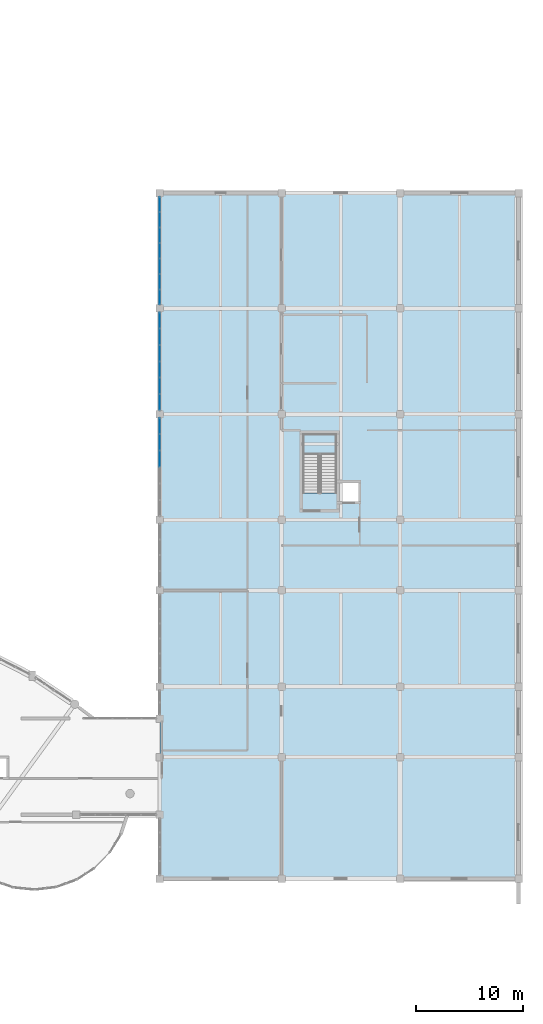
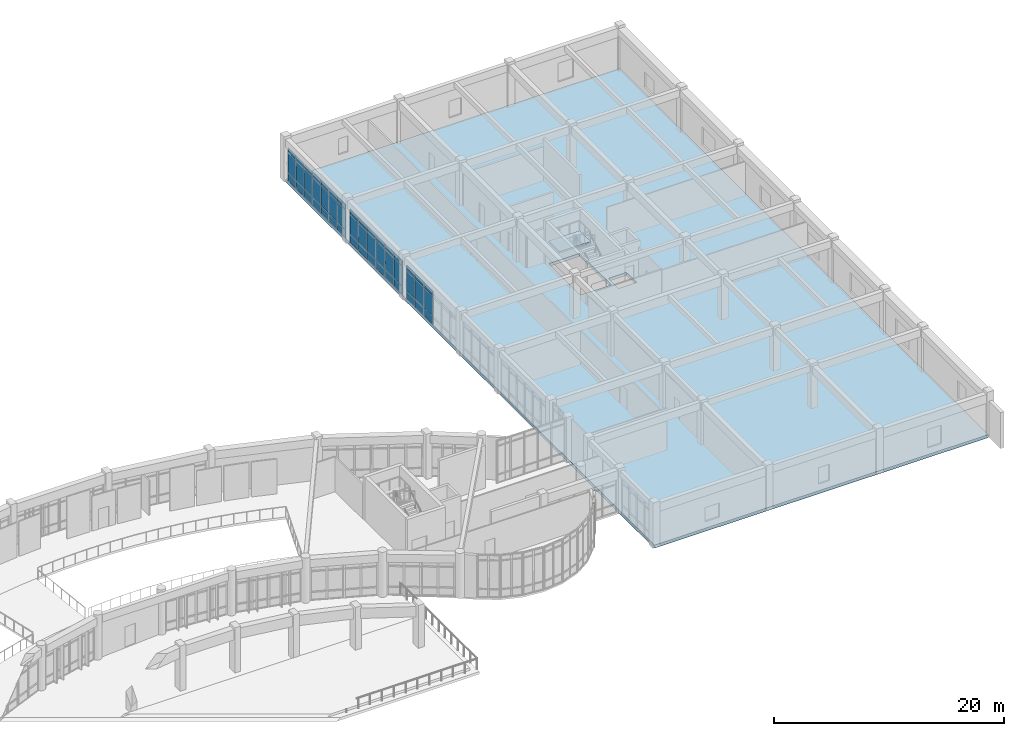
# One storey, part 46 of 65: 48 plates, 2 slabs, 4 elements without a shape of their own.
"""IFC4 building model written with IfcOpenShell, lengths in metres."""

from ifc_helpers import new_model, si_unit, direction, frame, origin, origin_2d, place, context, subcontext, project, spatial, polyline, rectangle, outline, extrude, material, layer, layer_set, type_object, element, aggregate, save


model = new_model("IFC4")

# Units and contexts
model_context = context("Model", 3, precision=1e-05, world=origin(), true_north=direction((0.0, 1.0)))
body_context = subcontext(model_context, "Body", "Model", "MODEL_VIEW")
ifc_project = project(units=[si_unit("LENGTHUNIT", "METRE"), si_unit("AREAUNIT", "SQUARE_METRE"), si_unit("VOLUMEUNIT", "CUBIC_METRE"), si_unit("PLANEANGLEUNIT", "RADIAN"), si_unit("MASSUNIT", "GRAM", prefix="KILO")], contexts=[model_context])

# Site, building, storey
site_placement = place(None, origin())
site = spatial("IfcSite", under=ifc_project, at=site_placement, CompositionType="ELEMENT")
building_placement = place(site_placement, origin())
building = spatial("IfcBuilding", under=site, at=building_placement, Name="Miralva Faculty of Natural Sciences", CompositionType="ELEMENT")
storey_placement = place(building_placement, frame((0.0, 0.0, 10.199951171875)))
storey = spatial("IfcBuildingStorey", under=building, at=storey_placement, Name="L02", CompositionType="ELEMENT", Elevation=10.199951171875)

# Curtain wall, plates
ifc_material_1 = material(Name="Laminated solar-control glass", Category="glass")
ifc_layer_1 = layer(ifc_material_1, 0.179931640625, Name="CW-COM-L01")
ifc_layer_set_1 = layer_set([ifc_layer_1], Name="Laminated solar-control glass")
curtain_wall_type = type_object("IfcCurtainWallType", Name="CW-COM-L01", PredefinedType="USERDEFINED", material=ifc_layer_set_1)
curtain_wall_1_placement = place(storey_placement, origin())
curtain_wall_1 = element("IfcCurtainWall", 1, at=curtain_wall_1_placement, inside=storey, type_object=curtain_wall_type, Name="Curtain wall CW-10 L02-272", ObjectType="UNITISED CURTAIN WALL", PredefinedType="USERDEFINED")
ifc_layer_2 = layer(ifc_material_1, 0.028076171875, Name="PNL-P01")
ifc_layer_set_2 = layer_set([ifc_layer_2], Name="Laminated solar-control glass")
plate_type = type_object("IfcPlateType", Name="PNL-P01", PredefinedType="CURTAIN_PANEL", material=ifc_layer_set_2)
plate_1_placement = place(storey_placement, frame((133.800048828125, 51.319091796875, 0.06005859375), z_axis=(0.0, 0.0, 1.0), x_axis=(0.0, 1.0, 0.0)))
plate_1 = element("IfcPlate", 2, at=plate_1_placement, type_object=plate_type, Name="CW-10 panel 4.1", PredefinedType="CURTAIN_PANEL", context=body_context, shape_type="SweptSolid", body=[
    extrude(rectangle(XDim=1.478271484375, YDim=0.028076171875, at=origin_2d()), origin(), (0.0, 0.0, 1.0), 0.81005859375),
])
plate_2_placement = place(storey_placement, frame((133.800048828125, 51.319091796875, 0.93017578125), z_axis=(0.0, 0.0, 1.0), x_axis=(0.0, 1.0, 0.0)))
plate_2 = element("IfcPlate", 3, at=plate_2_placement, type_object=plate_type, Name="CW-10 panel 4.2", PredefinedType="CURTAIN_PANEL", context=body_context, shape_type="SweptSolid", body=[
    extrude(rectangle(XDim=1.478271484375, YDim=0.028076171875, at=origin_2d()), origin(), (0.0, 0.0, 1.0), 2.10498046875),
])
plate_3_placement = place(storey_placement, frame((133.800048828125, 51.319091796875, 3.09521484375), z_axis=(0.0, 0.0, 1.0), x_axis=(0.0, 1.0, 0.0)))
plate_3 = element("IfcPlate", 4, at=plate_3_placement, type_object=plate_type, Name="CW-10 panel 4.3", PredefinedType="CURTAIN_PANEL", context=body_context, shape_type="SweptSolid", body=[
    extrude(rectangle(XDim=1.478271484375, YDim=0.028076171875, at=origin_2d()), origin(), (0.0, 0.0, 1.0), 0.510009765625),
])
plate_4_placement = place(storey_placement, frame((133.800048828125, 52.857421875, 0.06005859375), z_axis=(0.0, 0.0, 1.0), x_axis=(0.0, 1.0, 0.0)))
plate_4 = element("IfcPlate", 5, at=plate_4_placement, type_object=plate_type, Name="CW-10 panel 5.1", PredefinedType="CURTAIN_PANEL", context=body_context, shape_type="SweptSolid", body=[
    extrude(rectangle(XDim=1.478271484375, YDim=0.028076171875, at=origin_2d()), origin(), (0.0, 0.0, 1.0), 0.81005859375),
])
plate_5_placement = place(storey_placement, frame((133.800048828125, 52.857421875, 0.93017578125), z_axis=(0.0, 0.0, 1.0), x_axis=(0.0, 1.0, 0.0)))
plate_5 = element("IfcPlate", 6, at=plate_5_placement, type_object=plate_type, Name="CW-10 panel 5.2", PredefinedType="CURTAIN_PANEL", context=body_context, shape_type="SweptSolid", body=[
    extrude(rectangle(XDim=1.478271484375, YDim=0.028076171875, at=origin_2d()), origin(), (0.0, 0.0, 1.0), 2.10498046875),
])
plate_6_placement = place(storey_placement, frame((133.800048828125, 52.857421875, 3.09521484375), z_axis=(0.0, 0.0, 1.0), x_axis=(0.0, 1.0, 0.0)))
plate_6 = element("IfcPlate", 7, at=plate_6_placement, type_object=plate_type, Name="CW-10 panel 5.3", PredefinedType="CURTAIN_PANEL", context=body_context, shape_type="SweptSolid", body=[
    extrude(rectangle(XDim=1.478271484375, YDim=0.028076171875, at=origin_2d()), origin(), (0.0, 0.0, 1.0), 0.510009765625),
])
plate_7_placement = place(storey_placement, frame((133.800048828125, 54.380859375, 0.06005859375), z_axis=(0.0, 0.0, 1.0), x_axis=(0.0, 1.0, 0.0)))
plate_7 = element("IfcPlate", 8, at=plate_7_placement, type_object=plate_type, Name="CW-10 panel 6.1", PredefinedType="CURTAIN_PANEL", context=body_context, shape_type="SweptSolid", body=[
    extrude(rectangle(XDim=1.4482421875, YDim=0.028076171875, at=origin_2d()), origin(), (0.0, 0.0, 1.0), 0.81005859375),
])
plate_8_placement = place(storey_placement, frame((133.800048828125, 54.380859375, 0.93017578125), z_axis=(0.0, 0.0, 1.0), x_axis=(0.0, 1.0, 0.0)))
plate_8 = element("IfcPlate", 9, at=plate_8_placement, type_object=plate_type, Name="CW-10 panel 6.2", PredefinedType="CURTAIN_PANEL", context=body_context, shape_type="SweptSolid", body=[
    extrude(rectangle(XDim=1.4482421875, YDim=0.028076171875, at=origin_2d()), origin(), (0.0, 0.0, 1.0), 2.10498046875),
])
plate_9_placement = place(storey_placement, frame((133.800048828125, 54.380859375, 3.09521484375), z_axis=(0.0, 0.0, 1.0), x_axis=(0.0, 1.0, 0.0)))
plate_9 = element("IfcPlate", 10, at=plate_9_placement, type_object=plate_type, Name="CW-10 panel 6.3", PredefinedType="CURTAIN_PANEL", context=body_context, shape_type="SweptSolid", body=[
    extrude(rectangle(XDim=1.4482421875, YDim=0.028076171875, at=origin_2d()), origin(), (0.0, 0.0, 1.0), 0.510009765625),
])
aggregate(curtain_wall_1, [plate_1, plate_2, plate_3, plate_4, plate_5, plate_6, plate_7, plate_8, plate_9])

curtain_wall_2_placement = place(storey_placement, origin())
curtain_wall_2 = element("IfcCurtainWall", 11, at=curtain_wall_2_placement, inside=storey, type_object=curtain_wall_type, Name="Curtain wall CW-10 L02-273", ObjectType="UNITISED CURTAIN WALL", PredefinedType="USERDEFINED")
plate_10_placement = place(storey_placement, frame((133.800048828125, 56.619140625, 0.06005859375), z_axis=(0.0, 0.0, 1.0), x_axis=(0.0, 1.0, 0.0)))
plate_10 = element("IfcPlate", 12, at=plate_10_placement, type_object=plate_type, Name="CW-10 panel 1.1", PredefinedType="CURTAIN_PANEL", context=body_context, shape_type="SweptSolid", body=[
    extrude(rectangle(XDim=1.4482421875, YDim=0.028076171875, at=origin_2d()), origin(), (0.0, 0.0, 1.0), 0.81005859375),
])
plate_11_placement = place(storey_placement, frame((133.800048828125, 56.619140625, 0.93017578125), z_axis=(0.0, 0.0, 1.0), x_axis=(0.0, 1.0, 0.0)))
plate_11 = element("IfcPlate", 13, at=plate_11_placement, type_object=plate_type, Name="CW-10 panel 1.2", PredefinedType="CURTAIN_PANEL", context=body_context, shape_type="SweptSolid", body=[
    extrude(rectangle(XDim=1.4482421875, YDim=0.028076171875, at=origin_2d()), origin(), (0.0, 0.0, 1.0), 2.10498046875),
])
plate_12_placement = place(storey_placement, frame((133.800048828125, 56.619140625, 3.09521484375), z_axis=(0.0, 0.0, 1.0), x_axis=(0.0, 1.0, 0.0)))
plate_12 = element("IfcPlate", 14, at=plate_12_placement, type_object=plate_type, Name="CW-10 panel 1.3", PredefinedType="CURTAIN_PANEL", context=body_context, shape_type="SweptSolid", body=[
    extrude(rectangle(XDim=1.4482421875, YDim=0.028076171875, at=origin_2d()), origin(), (0.0, 0.0, 1.0), 0.510009765625),
])
plate_13_placement = place(storey_placement, frame((133.800048828125, 58.142578125, 0.06005859375), z_axis=(0.0, 0.0, 1.0), x_axis=(0.0, 1.0, 0.0)))
plate_13 = element("IfcPlate", 15, at=plate_13_placement, type_object=plate_type, Name="CW-10 panel 2.1", PredefinedType="CURTAIN_PANEL", context=body_context, shape_type="SweptSolid", body=[
    extrude(rectangle(XDim=1.478271484375, YDim=0.028076171875, at=origin_2d()), origin(), (0.0, 0.0, 1.0), 0.81005859375),
])
plate_14_placement = place(storey_placement, frame((133.800048828125, 58.142578125, 0.93017578125), z_axis=(0.0, 0.0, 1.0), x_axis=(0.0, 1.0, 0.0)))
plate_14 = element("IfcPlate", 16, at=plate_14_placement, type_object=plate_type, Name="CW-10 panel 2.2", PredefinedType="CURTAIN_PANEL", context=body_context, shape_type="SweptSolid", body=[
    extrude(rectangle(XDim=1.478271484375, YDim=0.028076171875, at=origin_2d()), origin(), (0.0, 0.0, 1.0), 2.10498046875),
])
plate_15_placement = place(storey_placement, frame((133.800048828125, 58.142578125, 3.09521484375), z_axis=(0.0, 0.0, 1.0), x_axis=(0.0, 1.0, 0.0)))
plate_15 = element("IfcPlate", 17, at=plate_15_placement, type_object=plate_type, Name="CW-10 panel 2.3", PredefinedType="CURTAIN_PANEL", context=body_context, shape_type="SweptSolid", body=[
    extrude(rectangle(XDim=1.478271484375, YDim=0.028076171875, at=origin_2d()), origin(), (0.0, 0.0, 1.0), 0.510009765625),
])
plate_16_placement = place(storey_placement, frame((133.800048828125, 59.680908203125, 0.06005859375), z_axis=(0.0, 0.0, 1.0), x_axis=(0.0, 1.0, 0.0)))
plate_16 = element("IfcPlate", 18, at=plate_16_placement, type_object=plate_type, Name="CW-10 panel 3.1", PredefinedType="CURTAIN_PANEL", context=body_context, shape_type="SweptSolid", body=[
    extrude(rectangle(XDim=1.478271484375, YDim=0.028076171875, at=origin_2d()), origin(), (0.0, 0.0, 1.0), 0.81005859375),
])
plate_17_placement = place(storey_placement, frame((133.800048828125, 59.680908203125, 0.93017578125), z_axis=(0.0, 0.0, 1.0), x_axis=(0.0, 1.0, 0.0)))
plate_17 = element("IfcPlate", 19, at=plate_17_placement, type_object=plate_type, Name="CW-10 panel 3.2", PredefinedType="CURTAIN_PANEL", context=body_context, shape_type="SweptSolid", body=[
    extrude(rectangle(XDim=1.478271484375, YDim=0.028076171875, at=origin_2d()), origin(), (0.0, 0.0, 1.0), 2.10498046875),
])
plate_18_placement = place(storey_placement, frame((133.800048828125, 59.680908203125, 3.09521484375), z_axis=(0.0, 0.0, 1.0), x_axis=(0.0, 1.0, 0.0)))
plate_18 = element("IfcPlate", 20, at=plate_18_placement, type_object=plate_type, Name="CW-10 panel 3.3", PredefinedType="CURTAIN_PANEL", context=body_context, shape_type="SweptSolid", body=[
    extrude(rectangle(XDim=1.478271484375, YDim=0.028076171875, at=origin_2d()), origin(), (0.0, 0.0, 1.0), 0.510009765625),
])
plate_19_placement = place(storey_placement, frame((133.800048828125, 61.21923828125, 0.06005859375), z_axis=(0.0, 0.0, 1.0), x_axis=(0.0, 1.0, 0.0)))
plate_19 = element("IfcPlate", 21, at=plate_19_placement, type_object=plate_type, Name="CW-10 panel 4.1", PredefinedType="CURTAIN_PANEL", context=body_context, shape_type="SweptSolid", body=[
    extrude(rectangle(XDim=1.478271484375, YDim=0.028076171875, at=origin_2d()), origin(), (0.0, 0.0, 1.0), 0.81005859375),
])
plate_20_placement = place(storey_placement, frame((133.800048828125, 61.21923828125, 0.93017578125), z_axis=(0.0, 0.0, 1.0), x_axis=(0.0, 1.0, 0.0)))
plate_20 = element("IfcPlate", 22, at=plate_20_placement, type_object=plate_type, Name="CW-10 panel 4.2", PredefinedType="CURTAIN_PANEL", context=body_context, shape_type="SweptSolid", body=[
    extrude(rectangle(XDim=1.478271484375, YDim=0.028076171875, at=origin_2d()), origin(), (0.0, 0.0, 1.0), 2.10498046875),
])
plate_21_placement = place(storey_placement, frame((133.800048828125, 61.21923828125, 3.09521484375), z_axis=(0.0, 0.0, 1.0), x_axis=(0.0, 1.0, 0.0)))
plate_21 = element("IfcPlate", 23, at=plate_21_placement, type_object=plate_type, Name="CW-10 panel 4.3", PredefinedType="CURTAIN_PANEL", context=body_context, shape_type="SweptSolid", body=[
    extrude(rectangle(XDim=1.478271484375, YDim=0.028076171875, at=origin_2d()), origin(), (0.0, 0.0, 1.0), 0.510009765625),
])
plate_22_placement = place(storey_placement, frame((133.800048828125, 62.757568359375, 0.06005859375), z_axis=(0.0, 0.0, 1.0), x_axis=(0.0, 1.0, 0.0)))
plate_22 = element("IfcPlate", 24, at=plate_22_placement, type_object=plate_type, Name="CW-10 panel 5.1", PredefinedType="CURTAIN_PANEL", context=body_context, shape_type="SweptSolid", body=[
    extrude(rectangle(XDim=1.478271484375, YDim=0.028076171875, at=origin_2d()), origin(), (0.0, 0.0, 1.0), 0.81005859375),
])
plate_23_placement = place(storey_placement, frame((133.800048828125, 62.757568359375, 0.93017578125), z_axis=(0.0, 0.0, 1.0), x_axis=(0.0, 1.0, 0.0)))
plate_23 = element("IfcPlate", 25, at=plate_23_placement, type_object=plate_type, Name="CW-10 panel 5.2", PredefinedType="CURTAIN_PANEL", context=body_context, shape_type="SweptSolid", body=[
    extrude(rectangle(XDim=1.478271484375, YDim=0.028076171875, at=origin_2d()), origin(), (0.0, 0.0, 1.0), 2.10498046875),
])
plate_24_placement = place(storey_placement, frame((133.800048828125, 62.757568359375, 3.09521484375), z_axis=(0.0, 0.0, 1.0), x_axis=(0.0, 1.0, 0.0)))
plate_24 = element("IfcPlate", 26, at=plate_24_placement, type_object=plate_type, Name="CW-10 panel 5.3", PredefinedType="CURTAIN_PANEL", context=body_context, shape_type="SweptSolid", body=[
    extrude(rectangle(XDim=1.478271484375, YDim=0.028076171875, at=origin_2d()), origin(), (0.0, 0.0, 1.0), 0.510009765625),
])
plate_25_placement = place(storey_placement, frame((133.800048828125, 64.28076171875, 0.06005859375), z_axis=(0.0, 0.0, 1.0), x_axis=(0.0, 1.0, 0.0)))
plate_25 = element("IfcPlate", 27, at=plate_25_placement, type_object=plate_type, Name="CW-10 panel 6.1", PredefinedType="CURTAIN_PANEL", context=body_context, shape_type="SweptSolid", body=[
    extrude(rectangle(XDim=1.4482421875, YDim=0.028076171875, at=origin_2d()), origin(), (0.0, 0.0, 1.0), 0.81005859375),
])
plate_26_placement = place(storey_placement, frame((133.800048828125, 64.28076171875, 0.93017578125), z_axis=(0.0, 0.0, 1.0), x_axis=(0.0, 1.0, 0.0)))
plate_26 = element("IfcPlate", 28, at=plate_26_placement, type_object=plate_type, Name="CW-10 panel 6.2", PredefinedType="CURTAIN_PANEL", context=body_context, shape_type="SweptSolid", body=[
    extrude(rectangle(XDim=1.4482421875, YDim=0.028076171875, at=origin_2d()), origin(), (0.0, 0.0, 1.0), 2.10498046875),
])
plate_27_placement = place(storey_placement, frame((133.800048828125, 64.28076171875, 3.09521484375), z_axis=(0.0, 0.0, 1.0), x_axis=(0.0, 1.0, 0.0)))
plate_27 = element("IfcPlate", 29, at=plate_27_placement, type_object=plate_type, Name="CW-10 panel 6.3", PredefinedType="CURTAIN_PANEL", context=body_context, shape_type="SweptSolid", body=[
    extrude(rectangle(XDim=1.4482421875, YDim=0.028076171875, at=origin_2d()), origin(), (0.0, 0.0, 1.0), 0.510009765625),
])
aggregate(curtain_wall_2, [plate_10, plate_11, plate_12, plate_13, plate_14, plate_15, plate_16, plate_17, plate_18, plate_19, plate_20, plate_21, plate_22, plate_23, plate_24, plate_25, plate_26, plate_27])

curtain_wall_3_placement = place(storey_placement, origin())
curtain_wall_3 = element("IfcCurtainWall", 30, at=curtain_wall_3_placement, inside=storey, type_object=curtain_wall_type, Name="Curtain wall CW-10 L02-274", ObjectType="UNITISED CURTAIN WALL", PredefinedType="USERDEFINED")
plate_28_placement = place(storey_placement, frame((133.800048828125, 66.4736328125, 0.06005859375), z_axis=(0.0, 0.0, 1.0), x_axis=(0.0, 1.0, 0.0)))
plate_28 = element("IfcPlate", 31, at=plate_28_placement, type_object=plate_type, Name="CW-10 panel 1.1", PredefinedType="CURTAIN_PANEL", context=body_context, shape_type="SweptSolid", body=[
    extrude(rectangle(XDim=1.357177734375, YDim=0.028076171875, at=origin_2d()), origin(), (0.0, 0.0, 1.0), 0.81005859375),
])
plate_29_placement = place(storey_placement, frame((133.800048828125, 66.4736328125, 0.93017578125), z_axis=(0.0, 0.0, 1.0), x_axis=(0.0, 1.0, 0.0)))
plate_29 = element("IfcPlate", 32, at=plate_29_placement, type_object=plate_type, Name="CW-10 panel 1.2", PredefinedType="CURTAIN_PANEL", context=body_context, shape_type="SweptSolid", body=[
    extrude(rectangle(XDim=1.357177734375, YDim=0.028076171875, at=origin_2d()), origin(), (0.0, 0.0, 1.0), 2.10498046875),
])
plate_30_placement = place(storey_placement, frame((133.800048828125, 66.4736328125, 3.09521484375), z_axis=(0.0, 0.0, 1.0), x_axis=(0.0, 1.0, 0.0)))
plate_30 = element("IfcPlate", 33, at=plate_30_placement, type_object=plate_type, Name="CW-10 panel 1.3", PredefinedType="CURTAIN_PANEL", context=body_context, shape_type="SweptSolid", body=[
    extrude(rectangle(XDim=1.357177734375, YDim=0.028076171875, at=origin_2d()), origin(), (0.0, 0.0, 1.0), 0.510009765625),
])
plate_31_placement = place(storey_placement, frame((133.800048828125, 67.90576171875, 0.06005859375), z_axis=(0.0, 0.0, 1.0), x_axis=(0.0, 1.0, 0.0)))
plate_31 = element("IfcPlate", 34, at=plate_31_placement, type_object=plate_type, Name="CW-10 panel 2.1", PredefinedType="CURTAIN_PANEL", context=body_context, shape_type="SweptSolid", body=[
    extrude(rectangle(XDim=1.38720703125, YDim=0.028076171875, at=origin_2d()), origin(), (0.0, 0.0, 1.0), 0.81005859375),
])
plate_32_placement = place(storey_placement, frame((133.800048828125, 67.90576171875, 0.93017578125), z_axis=(0.0, 0.0, 1.0), x_axis=(0.0, 1.0, 0.0)))
plate_32 = element("IfcPlate", 35, at=plate_32_placement, type_object=plate_type, Name="CW-10 panel 2.2", PredefinedType="CURTAIN_PANEL", context=body_context, shape_type="SweptSolid", body=[
    extrude(rectangle(XDim=1.38720703125, YDim=0.028076171875, at=origin_2d()), origin(), (0.0, 0.0, 1.0), 2.10498046875),
])
plate_33_placement = place(storey_placement, frame((133.800048828125, 67.90576171875, 3.09521484375), z_axis=(0.0, 0.0, 1.0), x_axis=(0.0, 1.0, 0.0)))
plate_33 = element("IfcPlate", 36, at=plate_33_placement, type_object=plate_type, Name="CW-10 panel 2.3", PredefinedType="CURTAIN_PANEL", context=body_context, shape_type="SweptSolid", body=[
    extrude(rectangle(XDim=1.38720703125, YDim=0.028076171875, at=origin_2d()), origin(), (0.0, 0.0, 1.0), 0.510009765625),
])
plate_34_placement = place(storey_placement, frame((133.800048828125, 69.352783203125, 0.06005859375), z_axis=(0.0, 0.0, 1.0), x_axis=(0.0, 1.0, 0.0)))
plate_34 = element("IfcPlate", 37, at=plate_34_placement, type_object=plate_type, Name="CW-10 panel 3.1", PredefinedType="CURTAIN_PANEL", context=body_context, shape_type="SweptSolid", body=[
    extrude(rectangle(XDim=1.38720703125, YDim=0.028076171875, at=origin_2d()), origin(), (0.0, 0.0, 1.0), 0.81005859375),
])
plate_35_placement = place(storey_placement, frame((133.800048828125, 69.352783203125, 0.93017578125), z_axis=(0.0, 0.0, 1.0), x_axis=(0.0, 1.0, 0.0)))
plate_35 = element("IfcPlate", 38, at=plate_35_placement, type_object=plate_type, Name="CW-10 panel 3.2", PredefinedType="CURTAIN_PANEL", context=body_context, shape_type="SweptSolid", body=[
    extrude(rectangle(XDim=1.38720703125, YDim=0.028076171875, at=origin_2d()), origin(), (0.0, 0.0, 1.0), 2.10498046875),
])
plate_36_placement = place(storey_placement, frame((133.800048828125, 69.352783203125, 3.09521484375), z_axis=(0.0, 0.0, 1.0), x_axis=(0.0, 1.0, 0.0)))
plate_36 = element("IfcPlate", 39, at=plate_36_placement, type_object=plate_type, Name="CW-10 panel 3.3", PredefinedType="CURTAIN_PANEL", context=body_context, shape_type="SweptSolid", body=[
    extrude(rectangle(XDim=1.38720703125, YDim=0.028076171875, at=origin_2d()), origin(), (0.0, 0.0, 1.0), 0.510009765625),
])
plate_37_placement = place(storey_placement, frame((133.800048828125, 70.800048828125, 0.06005859375), z_axis=(0.0, 0.0, 1.0), x_axis=(0.0, 1.0, 0.0)))
plate_37 = element("IfcPlate", 40, at=plate_37_placement, type_object=plate_type, Name="CW-10 panel 4.1", PredefinedType="CURTAIN_PANEL", context=body_context, shape_type="SweptSolid", body=[
    extrude(rectangle(XDim=1.38720703125, YDim=0.028076171875, at=origin_2d()), origin(), (0.0, 0.0, 1.0), 0.81005859375),
])
plate_38_placement = place(storey_placement, frame((133.800048828125, 70.800048828125, 0.93017578125), z_axis=(0.0, 0.0, 1.0), x_axis=(0.0, 1.0, 0.0)))
plate_38 = element("IfcPlate", 41, at=plate_38_placement, type_object=plate_type, Name="CW-10 panel 4.2", PredefinedType="CURTAIN_PANEL", context=body_context, shape_type="SweptSolid", body=[
    extrude(rectangle(XDim=1.38720703125, YDim=0.028076171875, at=origin_2d()), origin(), (0.0, 0.0, 1.0), 2.10498046875),
])
plate_39_placement = place(storey_placement, frame((133.800048828125, 70.800048828125, 3.09521484375), z_axis=(0.0, 0.0, 1.0), x_axis=(0.0, 1.0, 0.0)))
plate_39 = element("IfcPlate", 42, at=plate_39_placement, type_object=plate_type, Name="CW-10 panel 4.3", PredefinedType="CURTAIN_PANEL", context=body_context, shape_type="SweptSolid", body=[
    extrude(rectangle(XDim=1.38720703125, YDim=0.028076171875, at=origin_2d()), origin(), (0.0, 0.0, 1.0), 0.510009765625),
])
plate_40_placement = place(storey_placement, frame((133.800048828125, 72.2470703125, 0.06005859375), z_axis=(0.0, 0.0, 1.0), x_axis=(0.0, 1.0, 0.0)))
plate_40 = element("IfcPlate", 43, at=plate_40_placement, type_object=plate_type, Name="CW-10 panel 5.1", PredefinedType="CURTAIN_PANEL", context=body_context, shape_type="SweptSolid", body=[
    extrude(rectangle(XDim=1.38720703125, YDim=0.028076171875, at=origin_2d()), origin(), (0.0, 0.0, 1.0), 0.81005859375),
])
plate_41_placement = place(storey_placement, frame((133.800048828125, 72.2470703125, 0.93017578125), z_axis=(0.0, 0.0, 1.0), x_axis=(0.0, 1.0, 0.0)))
plate_41 = element("IfcPlate", 44, at=plate_41_placement, type_object=plate_type, Name="CW-10 panel 5.2", PredefinedType="CURTAIN_PANEL", context=body_context, shape_type="SweptSolid", body=[
    extrude(rectangle(XDim=1.38720703125, YDim=0.028076171875, at=origin_2d()), origin(), (0.0, 0.0, 1.0), 2.10498046875),
])
plate_42_placement = place(storey_placement, frame((133.800048828125, 72.2470703125, 3.09521484375), z_axis=(0.0, 0.0, 1.0), x_axis=(0.0, 1.0, 0.0)))
plate_42 = element("IfcPlate", 45, at=plate_42_placement, type_object=plate_type, Name="CW-10 panel 5.3", PredefinedType="CURTAIN_PANEL", context=body_context, shape_type="SweptSolid", body=[
    extrude(rectangle(XDim=1.38720703125, YDim=0.028076171875, at=origin_2d()), origin(), (0.0, 0.0, 1.0), 0.510009765625),
])
plate_43_placement = place(storey_placement, frame((133.800048828125, 73.6943359375, 0.06005859375), z_axis=(0.0, 0.0, 1.0), x_axis=(0.0, 1.0, 0.0)))
plate_43 = element("IfcPlate", 46, at=plate_43_placement, type_object=plate_type, Name="CW-10 panel 6.1", PredefinedType="CURTAIN_PANEL", context=body_context, shape_type="SweptSolid", body=[
    extrude(rectangle(XDim=1.38720703125, YDim=0.028076171875, at=origin_2d()), origin(), (0.0, 0.0, 1.0), 0.81005859375),
])
plate_44_placement = place(storey_placement, frame((133.800048828125, 73.6943359375, 0.93017578125), z_axis=(0.0, 0.0, 1.0), x_axis=(0.0, 1.0, 0.0)))
plate_44 = element("IfcPlate", 47, at=plate_44_placement, type_object=plate_type, Name="CW-10 panel 6.2", PredefinedType="CURTAIN_PANEL", context=body_context, shape_type="SweptSolid", body=[
    extrude(rectangle(XDim=1.38720703125, YDim=0.028076171875, at=origin_2d()), origin(), (0.0, 0.0, 1.0), 2.10498046875),
])
plate_45_placement = place(storey_placement, frame((133.800048828125, 73.6943359375, 3.09521484375), z_axis=(0.0, 0.0, 1.0), x_axis=(0.0, 1.0, 0.0)))
plate_45 = element("IfcPlate", 48, at=plate_45_placement, type_object=plate_type, Name="CW-10 panel 6.3", PredefinedType="CURTAIN_PANEL", context=body_context, shape_type="SweptSolid", body=[
    extrude(rectangle(XDim=1.38720703125, YDim=0.028076171875, at=origin_2d()), origin(), (0.0, 0.0, 1.0), 0.510009765625),
])
plate_46_placement = place(storey_placement, frame((133.800048828125, 75.12646484375, 0.06005859375), z_axis=(0.0, 0.0, 1.0), x_axis=(0.0, 1.0, 0.0)))
plate_46 = element("IfcPlate", 49, at=plate_46_placement, type_object=plate_type, Name="CW-10 panel 7.1", PredefinedType="CURTAIN_PANEL", context=body_context, shape_type="SweptSolid", body=[
    extrude(rectangle(XDim=1.357177734375, YDim=0.028076171875, at=origin_2d()), origin(), (0.0, 0.0, 1.0), 0.81005859375),
])
plate_47_placement = place(storey_placement, frame((133.800048828125, 75.12646484375, 0.93017578125), z_axis=(0.0, 0.0, 1.0), x_axis=(0.0, 1.0, 0.0)))
plate_47 = element("IfcPlate", 50, at=plate_47_placement, type_object=plate_type, Name="CW-10 panel 7.2", PredefinedType="CURTAIN_PANEL", context=body_context, shape_type="SweptSolid", body=[
    extrude(rectangle(XDim=1.357177734375, YDim=0.028076171875, at=origin_2d()), origin(), (0.0, 0.0, 1.0), 2.10498046875),
])
plate_48_placement = place(storey_placement, frame((133.800048828125, 75.12646484375, 3.09521484375), z_axis=(0.0, 0.0, 1.0), x_axis=(0.0, 1.0, 0.0)))
plate_48 = element("IfcPlate", 51, at=plate_48_placement, type_object=plate_type, Name="CW-10 panel 7.3", PredefinedType="CURTAIN_PANEL", context=body_context, shape_type="SweptSolid", body=[
    extrude(rectangle(XDim=1.357177734375, YDim=0.028076171875, at=origin_2d()), origin(), (0.0, 0.0, 1.0), 0.510009765625),
])
aggregate(curtain_wall_3, [plate_28, plate_29, plate_30, plate_31, plate_32, plate_33, plate_34, plate_35, plate_36, plate_37, plate_38, plate_39, plate_40, plate_41, plate_42, plate_43, plate_44, plate_45, plate_46, plate_47, plate_48])

# Slab
ifc_material_2 = material(Name="Concrete C40/50", Category="concrete")
ifc_layer_3 = layer(ifc_material_2, 0.320068359375, Name="SL-FL01")
ifc_layer_set_3 = layer_set([ifc_layer_3], Name="Concrete C40/50")
slab_type_1 = type_object("IfcSlabType", Name="SL-FL01", PredefinedType="FLOOR", material=ifc_layer_set_3)
slab_1_placement = place(storey_placement, frame((0.0, 0.0, -0.320068359375)))
element("IfcSlab", 52, at=slab_1_placement, inside=storey, type_object=slab_type_1, Name="V2 L02 floor slab", PredefinedType="FLOOR", context=body_context, shape_type="SweptSolid", body=[
    extrude(outline(polyline([(167.39990234375, 12.0), (133.800048828125, 12.0), (133.800048828125, 76.199951171875), (167.39990234375, 76.199951171875), (167.39990234375, 12.0)]), holes=[polyline([(150.324951171875, 48.125), (147.22509765625, 48.125), (147.22509765625, 53.625), (150.324951171875, 53.625), (150.324951171875, 48.125)]), polyline([(152.39990234375, 47.324951171875), (150.60009765625, 47.324951171875), (150.60009765625, 49.074951171875), (152.39990234375, 49.074951171875), (152.39990234375, 47.324951171875)])]), origin(), (0.0, 0.0, 1.0), 0.320068359375),
])

# Stair, slab
stair_type = type_object("IfcStairType", Name="ST-CORE-480", PredefinedType="HALF_TURN_STAIR", material=ifc_material_2)
stair_placement = place(storey_placement, origin())
stair = element("IfcStair", 53, at=stair_placement, inside=storey, type_object=stair_type, Name="Exit Stair Core C4 (ST-02) L02", PredefinedType="HALF_TURN_STAIR")
ifc_layer_4 = layer(ifc_material_2, 0.18994140625, Name="SL-LD01")
ifc_layer_set_4 = layer_set([ifc_layer_4], Name="Concrete C40/50")
slab_type_2 = type_object("IfcSlabType", Name="SL-LD01", PredefinedType="LANDING", material=ifc_layer_set_4)
slab_2_placement = place(storey_placement, frame((0.0, 0.0, 2.2099609375)))
slab_2 = element("IfcSlab", 54, at=slab_2_placement, type_object=slab_type_2, Name="ST-02 landing 1", PredefinedType="LANDING", context=body_context, shape_type="SweptSolid", body=[
    extrude(outline(polyline([(150.35009765625, 51.739990234375), (150.35009765625, 53.64990234375), (147.199951171875, 53.64990234375), (147.199951171875, 51.739990234375), (150.35009765625, 51.739990234375)])), origin(), (0.0, 0.0, 1.0), 0.190185546875),
])
aggregate(stair, [slab_2])

save(model, "model.ifc")
